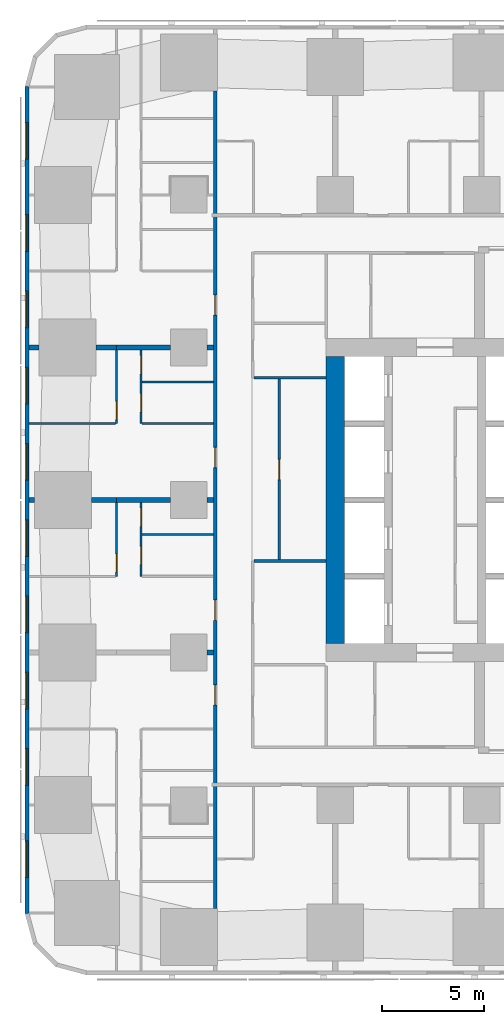
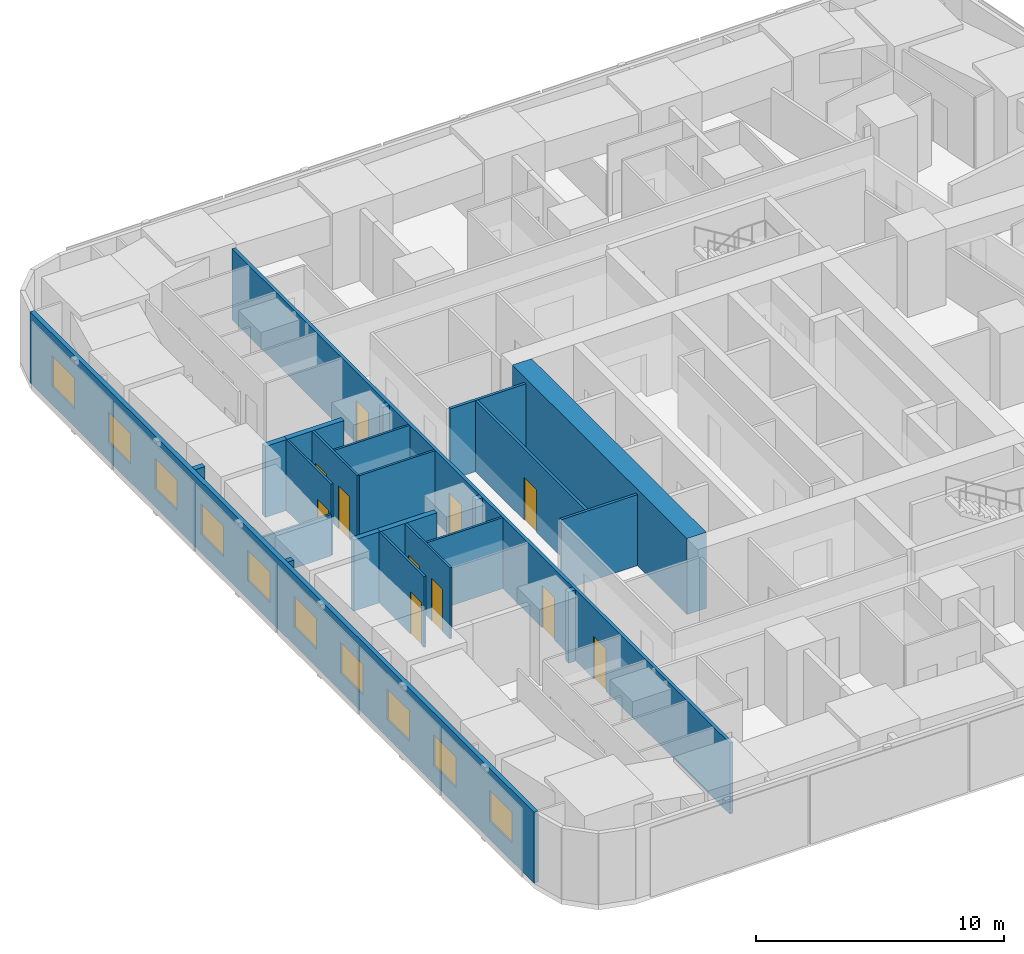
# One storey, part 4 of 15: 23 walls, 11 doors, 10 windows, 21 openings.
"""IFC4 building model written with IfcOpenShell, lengths in metres."""

from ifc_helpers import new_model, si_unit, direction, frame, frame_2d, origin, place, context, subcontext, project, spatial, rectangle, extrude, material, layer, layer_set, type_object, element, fill, save


model = new_model("IFC4")

# Units and contexts
model_context = context("Model", 3, precision=1e-05, world=origin(), true_north=direction((0.0, 1.0)))
body_context = subcontext(model_context, "Body", "Model", "MODEL_VIEW")
ifc_project = project(units=[si_unit("LENGTHUNIT", "METRE"), si_unit("AREAUNIT", "SQUARE_METRE"), si_unit("VOLUMEUNIT", "CUBIC_METRE"), si_unit("PLANEANGLEUNIT", "RADIAN"), si_unit("MASSUNIT", "GRAM", prefix="KILO")], contexts=[model_context])

# Site, building, storey
site_placement = place(None, origin())
site = spatial("IfcSite", under=ifc_project, at=site_placement, CompositionType="ELEMENT")
building_placement = place(site_placement, origin())
building = spatial("IfcBuilding", under=site, at=building_placement, Name="Sheger Commons Tower", CompositionType="ELEMENT")
storey_placement = place(building_placement, frame((0.0, 0.0, 50.0)))
storey = spatial("IfcBuildingStorey", under=building, at=storey_placement, Name="L12", CompositionType="ELEMENT", Elevation=50.0)

# Wall
ifc_material_1 = material(Name="Concrete C50/60", Category="concrete")
ifc_layer_1 = layer(ifc_material_1, 0.89990234375)
ifc_layer_set_1 = layer_set([ifc_layer_1], Name="CORE WALL 900")
wall_type_1 = type_object("IfcWallType", Name="CORE WALL 900", PredefinedType="SHEAR", material=ifc_layer_set_1)
wall_1_placement = place(storey_placement, frame((14.39990234375, 15.449951171875, 0.0), z_axis=(0.0, 0.0, 1.0), x_axis=(0.0, 1.0, 0.0)))
element("IfcWall", 1, at=wall_1_placement, inside=storey, type_object=wall_type_1, Name="Core wall west L12", PredefinedType="SHEAR", context=body_context, shape_type="SweptSolid", body=[
    extrude(rectangle(XDim=14.10009765625, YDim=0.89990234375, at=frame_2d((7.050048828125, 0.0))), origin(), (0.0, 0.0, 1.0), 3.75),
])

# Wall, openings, doors
ifc_material_2 = material(Name="Hollow concrete block masonry, skimmed both sides", Category="masonry")
ifc_layer_2 = layer(ifc_material_2, 0.14990234375)
ifc_layer_set_2 = layer_set([ifc_layer_2], Name="CORRIDOR WALL 150")
wall_type_2 = type_object("IfcWallType", Name="CORRIDOR WALL 150", PredefinedType="SOLIDWALL", material=ifc_layer_set_2)
wall_2_placement = place(storey_placement, frame((8.5, 2.426025390625, 0.0), z_axis=(0.0, 0.0, 1.0), x_axis=(0.0, 1.0, 0.0)))
wall_2 = element("IfcWall", 2, at=wall_2_placement, inside=storey, type_object=wall_type_2, Name="Corridor wall L12", PredefinedType="SOLIDWALL", context=body_context, shape_type="SweptSolid", body=[
    extrude(rectangle(XDim=40.173095703125, YDim=0.14990234375, at=frame_2d((20.08642578125, 0.0))), origin(), (0.0, 0.0, 1.0), 3.5),
])
opening_1_placement = place(wall_2_placement, frame((9.986083984375, 0.0, 0.0)))
opening_1 = element("IfcOpeningElement", 3, at=opening_1_placement, cuts=wall_2, Name="Opening D1", PredefinedType="OPENING", context=body_context, shape_type="SweptSolid", body=[
    extrude(rectangle(XDim=1.0, YDim=2.10009765625, at=frame_2d((0.5, 1.050048828125))), frame((0.0, 0.0849609375, 0.0), z_axis=(0.0, -1.0, 0.0), x_axis=(1.0, 0.0, 0.0)), (0.0, 0.0, 1.0), 0.169921875),
])
opening_2_placement = place(wall_2_placement, frame((14.160888671875, 0.0, 0.0)))
opening_2 = element("IfcOpeningElement", 4, at=opening_2_placement, cuts=wall_2, Name="Opening D1", PredefinedType="OPENING", context=body_context, shape_type="SweptSolid", body=[
    extrude(rectangle(XDim=1.0, YDim=2.10009765625, at=frame_2d((0.5, 1.050048828125))), frame((0.0, 0.0849609375, 0.0), z_axis=(0.0, -1.0, 0.0), x_axis=(1.0, 0.0, 0.0)), (0.0, 0.0, 1.0), 0.169921875),
])
opening_3_placement = place(wall_2_placement, frame((21.662109375, 0.0, 0.0)))
opening_3 = element("IfcOpeningElement", 5, at=opening_3_placement, cuts=wall_2, Name="Opening D1", PredefinedType="OPENING", context=body_context, shape_type="SweptSolid", body=[
    extrude(rectangle(XDim=1.0, YDim=2.10009765625, at=frame_2d((0.5, 1.050048828125))), frame((0.0, 0.0849609375, 0.0), z_axis=(0.0, -1.0, 0.0), x_axis=(1.0, 0.0, 0.0)), (0.0, 0.0, 1.0), 0.169921875),
])
opening_4_placement = place(wall_2_placement, frame((29.160888671875, 0.0, 0.0)))
opening_4 = element("IfcOpeningElement", 6, at=opening_4_placement, cuts=wall_2, Name="Opening D1", PredefinedType="OPENING", context=body_context, shape_type="SweptSolid", body=[
    extrude(rectangle(XDim=1.0, YDim=2.10009765625, at=frame_2d((0.5, 1.050048828125))), frame((0.0, 0.0849609375, 0.0), z_axis=(0.0, -1.0, 0.0), x_axis=(1.0, 0.0, 0.0)), (0.0, 0.0, 1.0), 0.169921875),
])
ifc_material_3 = material(Name="Steel door set, fire rated", Category="steel")
door_type_1 = type_object("IfcDoorType", Name="FLAT ENTRANCE DOOR 1000x2100", OperationType="NOTDEFINED", PredefinedType="DOOR", material=ifc_material_3)
door_1_placement = place(opening_1_placement, origin())
door_1 = element("IfcDoor", 7, at=door_1_placement, inside=storey, type_object=door_type_1, Name="Flat entrance door", OperationType="SINGLE_SWING_LEFT", OverallHeight=2.10009765625, OverallWidth=1.0, PredefinedType="DOOR", context=body_context, shape_type="SweptSolid", body=[
    extrude(rectangle(XDim=1.0, YDim=2.10009765625, at=frame_2d((0.5, 1.050048828125))), frame((0.0, 0.02490234375, 0.0), z_axis=(0.0, -1.0, 0.0), x_axis=(1.0, 0.0, 0.0)), (0.0, 0.0, 1.0), 0.050048828125),
])
fill(opening_1, door_1)
door_2_placement = place(opening_2_placement, origin())
door_2 = element("IfcDoor", 8, at=door_2_placement, inside=storey, type_object=door_type_1, Name="Flat entrance door", OperationType="SINGLE_SWING_RIGHT", OverallHeight=2.10009765625, OverallWidth=1.0, PredefinedType="DOOR", context=body_context, shape_type="SweptSolid", body=[
    extrude(rectangle(XDim=1.0, YDim=2.10009765625, at=frame_2d((0.5, 1.050048828125))), frame((0.0, 0.02490234375, 0.0), z_axis=(0.0, -1.0, 0.0), x_axis=(1.0, 0.0, 0.0)), (0.0, 0.0, 1.0), 0.050048828125),
])
fill(opening_2, door_2)
door_3_placement = place(opening_3_placement, origin())
door_3 = element("IfcDoor", 9, at=door_3_placement, inside=storey, type_object=door_type_1, Name="Flat entrance door", OperationType="SINGLE_SWING_RIGHT", OverallHeight=2.10009765625, OverallWidth=1.0, PredefinedType="DOOR", context=body_context, shape_type="SweptSolid", body=[
    extrude(rectangle(XDim=1.0, YDim=2.10009765625, at=frame_2d((0.5, 1.050048828125))), frame((0.0, 0.02490234375, 0.0), z_axis=(0.0, -1.0, 0.0), x_axis=(1.0, 0.0, 0.0)), (0.0, 0.0, 1.0), 0.050048828125),
])
fill(opening_3, door_3)
door_4_placement = place(opening_4_placement, origin())
door_4 = element("IfcDoor", 10, at=door_4_placement, inside=storey, type_object=door_type_1, Name="Flat entrance door", OperationType="SINGLE_SWING_RIGHT", OverallHeight=2.10009765625, OverallWidth=1.0, PredefinedType="DOOR", context=body_context, shape_type="SweptSolid", body=[
    extrude(rectangle(XDim=1.0, YDim=2.10009765625, at=frame_2d((0.5, 1.050048828125))), frame((0.0, 0.02490234375, 0.0), z_axis=(0.0, -1.0, 0.0), x_axis=(1.0, 0.0, 0.0)), (0.0, 0.0, 1.0), 0.050048828125),
])
fill(opening_4, door_4)

# Walls
ifc_material_4 = material(Name="Dense concrete block masonry, plastered both sides (separating wall between flats)", Category="masonry")
ifc_layer_3 = layer(ifc_material_4, 0.25)
ifc_layer_set_3 = layer_set([ifc_layer_3], Name="DEMISING WALL 250")
wall_type_3 = type_object("IfcWallType", Name="DEMISING WALL 250", PredefinedType="SOLIDWALL", material=ifc_layer_set_3)
wall_3_placement = place(storey_placement, frame((8.10107421875, 15.0, 0.0), z_axis=(0.0, 0.0, 1.0), x_axis=(1.0, 0.0, 0.0)))
element("IfcWall", 11, at=wall_3_placement, inside=storey, type_object=wall_type_3, Name="Demising wall L12", PredefinedType="SOLIDWALL", context=body_context, shape_type="SweptSolid", body=[
    extrude(rectangle(XDim=0.323974609375, YDim=0.25, at=frame_2d((0.162109375, 0.0))), origin(), (0.0, 0.0, 1.0), 3.5),
])
wall_4_placement = place(storey_placement, frame((-0.64990234375, 22.5, 0.0), z_axis=(0.0, 0.0, 1.0), x_axis=(1.0, 0.0, 0.0)))
element("IfcWall", 12, at=wall_4_placement, inside=storey, type_object=wall_type_3, Name="Demising wall L12", PredefinedType="SOLIDWALL", context=body_context, shape_type="SweptSolid", body=[
    extrude(rectangle(XDim=0.27392578125, YDim=0.25, at=frame_2d((0.136962890625, 0.0))), origin(), (0.0, 0.0, 1.0), 3.5),
])
wall_5_placement = place(storey_placement, frame((2.426025390625, 22.5, 0.0), z_axis=(0.0, 0.0, 1.0), x_axis=(1.0, 0.0, 0.0)))
element("IfcWall", 13, at=wall_5_placement, inside=storey, type_object=wall_type_3, Name="Demising wall L12", PredefinedType="SOLIDWALL", context=body_context, shape_type="SweptSolid", body=[
    extrude(rectangle(XDim=1.223876953125, YDim=0.25, at=frame_2d((0.61181640625, 0.0))), origin(), (0.0, 0.0, 1.0), 3.5),
])
wall_6_placement = place(storey_placement, frame((3.64990234375, 22.5, 0.0), z_axis=(0.0, 0.0, 1.0), x_axis=(1.0, 0.0, 0.0)))
element("IfcWall", 14, at=wall_6_placement, inside=storey, type_object=wall_type_3, Name="Demising wall L12", PredefinedType="SOLIDWALL", context=body_context, shape_type="SweptSolid", body=[
    extrude(rectangle(XDim=2.649169921875, YDim=0.25, at=frame_2d((1.32470703125, 0.0))), origin(), (0.0, 0.0, 1.0), 3.5),
])
wall_7_placement = place(storey_placement, frame((8.10107421875, 22.5, 0.0), z_axis=(0.0, 0.0, 1.0), x_axis=(1.0, 0.0, 0.0)))
element("IfcWall", 15, at=wall_7_placement, inside=storey, type_object=wall_type_3, Name="Demising wall L12", PredefinedType="SOLIDWALL", context=body_context, shape_type="SweptSolid", body=[
    extrude(rectangle(XDim=0.323974609375, YDim=0.25, at=frame_2d((0.162109375, 0.0))), origin(), (0.0, 0.0, 1.0), 3.5),
])
wall_8_placement = place(storey_placement, frame((-0.64990234375, 30.0, 0.0), z_axis=(0.0, 0.0, 1.0), x_axis=(1.0, 0.0, 0.0)))
element("IfcWall", 16, at=wall_8_placement, inside=storey, type_object=wall_type_3, Name="Demising wall L12", PredefinedType="SOLIDWALL", context=body_context, shape_type="SweptSolid", body=[
    extrude(rectangle(XDim=0.473876953125, YDim=0.25, at=frame_2d((0.23681640625, 0.0))), origin(), (0.0, 0.0, 1.0), 3.5),
])
wall_9_placement = place(storey_placement, frame((2.6259765625, 30.0, 0.0), z_axis=(0.0, 0.0, 1.0), x_axis=(1.0, 0.0, 0.0)))
element("IfcWall", 17, at=wall_9_placement, inside=storey, type_object=wall_type_3, Name="Demising wall L12", PredefinedType="SOLIDWALL", context=body_context, shape_type="SweptSolid", body=[
    extrude(rectangle(XDim=1.02392578125, YDim=0.25, at=frame_2d((0.511962890625, 0.0))), origin(), (0.0, 0.0, 1.0), 3.5),
])
wall_10_placement = place(storey_placement, frame((3.64990234375, 30.0, 0.0), z_axis=(0.0, 0.0, 1.0), x_axis=(1.0, 0.0, 0.0)))
element("IfcWall", 18, at=wall_10_placement, inside=storey, type_object=wall_type_3, Name="Demising wall L12", PredefinedType="SOLIDWALL", context=body_context, shape_type="SweptSolid", body=[
    extrude(rectangle(XDim=2.649169921875, YDim=0.25, at=frame_2d((1.32470703125, 0.0))), origin(), (0.0, 0.0, 1.0), 3.5),
])
wall_11_placement = place(storey_placement, frame((8.10107421875, 30.0, 0.0), z_axis=(0.0, 0.0, 1.0), x_axis=(1.0, 0.0, 0.0)))
element("IfcWall", 19, at=wall_11_placement, inside=storey, type_object=wall_type_3, Name="Demising wall L12", PredefinedType="SOLIDWALL", context=body_context, shape_type="SweptSolid", body=[
    extrude(rectangle(XDim=0.323974609375, YDim=0.25, at=frame_2d((0.162109375, 0.0))), origin(), (0.0, 0.0, 1.0), 3.5),
])

# Wall, openings, windows
ifc_material_5 = material(Name="Rendered concrete block masonry, dark grey", Category="masonry")
ifc_layer_4 = layer(ifc_material_5, 0.199951171875)
ifc_layer_set_4 = layer_set([ifc_layer_4], Name="FACADE WALL 200")
wall_type_4 = type_object("IfcWallType", Name="FACADE WALL 200", PredefinedType="SOLIDWALL", material=ifc_layer_set_4)
wall_12_placement = place(storey_placement, frame((-0.75, 42.8369140625, 0.0), z_axis=(0.0, 0.0, 1.0), x_axis=(0.0, -1.0, 0.0)))
wall_12 = element("IfcWall", 20, at=wall_12_placement, inside=storey, type_object=wall_type_4, Name="Facade wall L12", PredefinedType="SOLIDWALL", context=body_context, shape_type="SweptSolid", body=[
    extrude(rectangle(XDim=40.673828125, YDim=0.199951171875, at=frame_2d((20.3369140625, 0.0))), origin(), (0.0, 0.0, 1.0), 3.5),
])
opening_5_placement = place(wall_12_placement, frame((1.780029296875, 0.0, 0.89990234375)))
opening_5 = element("IfcOpeningElement", 21, at=opening_5_placement, cuts=wall_12, Name="Opening W2", PredefinedType="OPENING", context=body_context, shape_type="SweptSolid", body=[
    extrude(rectangle(XDim=1.800048828125, YDim=1.5, at=frame_2d((0.89990234375, 0.75))), frame((0.0, 0.10986328125, 0.0), z_axis=(0.0, -1.0, 0.0), x_axis=(1.0, 0.0, 0.0)), (0.0, 0.0, 1.0), 0.219970703125),
])
opening_6_placement = place(wall_12_placement, frame((6.31201171875, 0.0, 0.89990234375)))
opening_6 = element("IfcOpeningElement", 22, at=opening_6_placement, cuts=wall_12, Name="Opening W2", PredefinedType="OPENING", context=body_context, shape_type="SweptSolid", body=[
    extrude(rectangle(XDim=1.800048828125, YDim=1.5, at=frame_2d((0.89990234375, 0.75))), frame((0.0, 0.10986328125, 0.0), z_axis=(0.0, -1.0, 0.0), x_axis=(1.0, 0.0, 0.0)), (0.0, 0.0, 1.0), 0.219970703125),
])
opening_7_placement = place(wall_12_placement, frame((10.06201171875, 0.0, 0.89990234375)))
opening_7 = element("IfcOpeningElement", 23, at=opening_7_placement, cuts=wall_12, Name="Opening W2", PredefinedType="OPENING", context=body_context, shape_type="SweptSolid", body=[
    extrude(rectangle(XDim=1.800048828125, YDim=1.5, at=frame_2d((0.89990234375, 0.75))), frame((0.0, 0.10986328125, 0.0), z_axis=(0.0, -1.0, 0.0), x_axis=(1.0, 0.0, 0.0)), (0.0, 0.0, 1.0), 0.219970703125),
])
opening_8_placement = place(wall_12_placement, frame((13.81201171875, 0.0, 0.89990234375)))
opening_8 = element("IfcOpeningElement", 24, at=opening_8_placement, cuts=wall_12, Name="Opening W2", PredefinedType="OPENING", context=body_context, shape_type="SweptSolid", body=[
    extrude(rectangle(XDim=1.800048828125, YDim=1.5, at=frame_2d((0.89990234375, 0.75))), frame((0.0, 0.10986328125, 0.0), z_axis=(0.0, -1.0, 0.0), x_axis=(1.0, 0.0, 0.0)), (0.0, 0.0, 1.0), 0.219970703125),
])
opening_9_placement = place(wall_12_placement, frame((17.56201171875, 0.0, 0.89990234375)))
opening_9 = element("IfcOpeningElement", 25, at=opening_9_placement, cuts=wall_12, Name="Opening W2", PredefinedType="OPENING", context=body_context, shape_type="SweptSolid", body=[
    extrude(rectangle(XDim=1.800048828125, YDim=1.5, at=frame_2d((0.89990234375, 0.75))), frame((0.0, 0.10986328125, 0.0), z_axis=(0.0, -1.0, 0.0), x_axis=(1.0, 0.0, 0.0)), (0.0, 0.0, 1.0), 0.219970703125),
])
opening_10_placement = place(wall_12_placement, frame((21.31201171875, 0.0, 0.89990234375)))
opening_10 = element("IfcOpeningElement", 26, at=opening_10_placement, cuts=wall_12, Name="Opening W2", PredefinedType="OPENING", context=body_context, shape_type="SweptSolid", body=[
    extrude(rectangle(XDim=1.800048828125, YDim=1.5, at=frame_2d((0.89990234375, 0.75))), frame((0.0, 0.10986328125, 0.0), z_axis=(0.0, -1.0, 0.0), x_axis=(1.0, 0.0, 0.0)), (0.0, 0.0, 1.0), 0.219970703125),
])
opening_11_placement = place(wall_12_placement, frame((25.06201171875, 0.0, 0.89990234375)))
opening_11 = element("IfcOpeningElement", 27, at=opening_11_placement, cuts=wall_12, Name="Opening W2", PredefinedType="OPENING", context=body_context, shape_type="SweptSolid", body=[
    extrude(rectangle(XDim=1.800048828125, YDim=1.5, at=frame_2d((0.89990234375, 0.75))), frame((0.0, 0.10986328125, 0.0), z_axis=(0.0, -1.0, 0.0), x_axis=(1.0, 0.0, 0.0)), (0.0, 0.0, 1.0), 0.219970703125),
])
opening_12_placement = place(wall_12_placement, frame((28.81201171875, 0.0, 0.89990234375)))
opening_12 = element("IfcOpeningElement", 28, at=opening_12_placement, cuts=wall_12, Name="Opening W2", PredefinedType="OPENING", context=body_context, shape_type="SweptSolid", body=[
    extrude(rectangle(XDim=1.800048828125, YDim=1.5, at=frame_2d((0.89990234375, 0.75))), frame((0.0, 0.10986328125, 0.0), z_axis=(0.0, -1.0, 0.0), x_axis=(1.0, 0.0, 0.0)), (0.0, 0.0, 1.0), 0.219970703125),
])
opening_13_placement = place(wall_12_placement, frame((32.56201171875, 0.0, 0.89990234375)))
opening_13 = element("IfcOpeningElement", 29, at=opening_13_placement, cuts=wall_12, Name="Opening W2", PredefinedType="OPENING", context=body_context, shape_type="SweptSolid", body=[
    extrude(rectangle(XDim=1.800048828125, YDim=1.5, at=frame_2d((0.89990234375, 0.75))), frame((0.0, 0.10986328125, 0.0), z_axis=(0.0, -1.0, 0.0), x_axis=(1.0, 0.0, 0.0)), (0.0, 0.0, 1.0), 0.219970703125),
])
opening_14_placement = place(wall_12_placement, frame((37.093994140625, 0.0, 0.89990234375)))
opening_14 = element("IfcOpeningElement", 30, at=opening_14_placement, cuts=wall_12, Name="Opening W2", PredefinedType="OPENING", context=body_context, shape_type="SweptSolid", body=[
    extrude(rectangle(XDim=1.800048828125, YDim=1.5, at=frame_2d((0.89990234375, 0.75))), frame((0.0, 0.10986328125, 0.0), z_axis=(0.0, -1.0, 0.0), x_axis=(1.0, 0.0, 0.0)), (0.0, 0.0, 1.0), 0.219970703125),
])
ifc_material_6 = material(Name="Black aluminium frame, dark tinted double glazing", Category="aluminium")
window_type = type_object("IfcWindowType", Name="WINDOW W2 1800x1500", PartitioningType="SINGLE_PANEL", PredefinedType="WINDOW", material=ifc_material_6)
window_1_placement = place(opening_5_placement, origin())
window_1 = element("IfcWindow", 31, at=window_1_placement, inside=storey, type_object=window_type, Name="Window W2 1800X1500", OverallHeight=1.5, OverallWidth=1.800048828125, PartitioningType="SINGLE_PANEL", PredefinedType="WINDOW", context=body_context, shape_type="SweptSolid", body=[
    extrude(rectangle(XDim=1.800048828125, YDim=1.5, at=frame_2d((0.89990234375, 0.75))), frame((0.0, 0.030029296875, 0.0), z_axis=(0.0, -1.0, 0.0), x_axis=(1.0, 0.0, 0.0)), (0.0, 0.0, 1.0), 0.06005859375),
])
fill(opening_5, window_1)
window_2_placement = place(opening_6_placement, origin())
window_2 = element("IfcWindow", 32, at=window_2_placement, inside=storey, type_object=window_type, Name="Window W2 1800X1500", OverallHeight=1.5, OverallWidth=1.800048828125, PartitioningType="SINGLE_PANEL", PredefinedType="WINDOW", context=body_context, shape_type="SweptSolid", body=[
    extrude(rectangle(XDim=1.800048828125, YDim=1.5, at=frame_2d((0.89990234375, 0.75))), frame((0.0, 0.030029296875, 0.0), z_axis=(0.0, -1.0, 0.0), x_axis=(1.0, 0.0, 0.0)), (0.0, 0.0, 1.0), 0.06005859375),
])
fill(opening_6, window_2)
window_3_placement = place(opening_7_placement, origin())
window_3 = element("IfcWindow", 33, at=window_3_placement, inside=storey, type_object=window_type, Name="Window W2 1800X1500", OverallHeight=1.5, OverallWidth=1.800048828125, PartitioningType="SINGLE_PANEL", PredefinedType="WINDOW", context=body_context, shape_type="SweptSolid", body=[
    extrude(rectangle(XDim=1.800048828125, YDim=1.5, at=frame_2d((0.89990234375, 0.75))), frame((0.0, 0.030029296875, 0.0), z_axis=(0.0, -1.0, 0.0), x_axis=(1.0, 0.0, 0.0)), (0.0, 0.0, 1.0), 0.06005859375),
])
fill(opening_7, window_3)
window_4_placement = place(opening_8_placement, origin())
window_4 = element("IfcWindow", 34, at=window_4_placement, inside=storey, type_object=window_type, Name="Window W2 1800X1500", OverallHeight=1.5, OverallWidth=1.800048828125, PartitioningType="SINGLE_PANEL", PredefinedType="WINDOW", context=body_context, shape_type="SweptSolid", body=[
    extrude(rectangle(XDim=1.800048828125, YDim=1.5, at=frame_2d((0.89990234375, 0.75))), frame((0.0, 0.030029296875, 0.0), z_axis=(0.0, -1.0, 0.0), x_axis=(1.0, 0.0, 0.0)), (0.0, 0.0, 1.0), 0.06005859375),
])
fill(opening_8, window_4)
window_5_placement = place(opening_9_placement, origin())
window_5 = element("IfcWindow", 35, at=window_5_placement, inside=storey, type_object=window_type, Name="Window W2 1800X1500", OverallHeight=1.5, OverallWidth=1.800048828125, PartitioningType="SINGLE_PANEL", PredefinedType="WINDOW", context=body_context, shape_type="SweptSolid", body=[
    extrude(rectangle(XDim=1.800048828125, YDim=1.5, at=frame_2d((0.89990234375, 0.75))), frame((0.0, 0.030029296875, 0.0), z_axis=(0.0, -1.0, 0.0), x_axis=(1.0, 0.0, 0.0)), (0.0, 0.0, 1.0), 0.06005859375),
])
fill(opening_9, window_5)
window_6_placement = place(opening_10_placement, origin())
window_6 = element("IfcWindow", 36, at=window_6_placement, inside=storey, type_object=window_type, Name="Window W2 1800X1500", OverallHeight=1.5, OverallWidth=1.800048828125, PartitioningType="SINGLE_PANEL", PredefinedType="WINDOW", context=body_context, shape_type="SweptSolid", body=[
    extrude(rectangle(XDim=1.800048828125, YDim=1.5, at=frame_2d((0.89990234375, 0.75))), frame((0.0, 0.030029296875, 0.0), z_axis=(0.0, -1.0, 0.0), x_axis=(1.0, 0.0, 0.0)), (0.0, 0.0, 1.0), 0.06005859375),
])
fill(opening_10, window_6)
window_7_placement = place(opening_11_placement, origin())
window_7 = element("IfcWindow", 37, at=window_7_placement, inside=storey, type_object=window_type, Name="Window W2 1800X1500", OverallHeight=1.5, OverallWidth=1.800048828125, PartitioningType="SINGLE_PANEL", PredefinedType="WINDOW", context=body_context, shape_type="SweptSolid", body=[
    extrude(rectangle(XDim=1.800048828125, YDim=1.5, at=frame_2d((0.89990234375, 0.75))), frame((0.0, 0.030029296875, 0.0), z_axis=(0.0, -1.0, 0.0), x_axis=(1.0, 0.0, 0.0)), (0.0, 0.0, 1.0), 0.06005859375),
])
fill(opening_11, window_7)
window_8_placement = place(opening_12_placement, origin())
window_8 = element("IfcWindow", 38, at=window_8_placement, inside=storey, type_object=window_type, Name="Window W2 1800X1500", OverallHeight=1.5, OverallWidth=1.800048828125, PartitioningType="SINGLE_PANEL", PredefinedType="WINDOW", context=body_context, shape_type="SweptSolid", body=[
    extrude(rectangle(XDim=1.800048828125, YDim=1.5, at=frame_2d((0.89990234375, 0.75))), frame((0.0, 0.030029296875, 0.0), z_axis=(0.0, -1.0, 0.0), x_axis=(1.0, 0.0, 0.0)), (0.0, 0.0, 1.0), 0.06005859375),
])
fill(opening_12, window_8)
window_9_placement = place(opening_13_placement, origin())
window_9 = element("IfcWindow", 39, at=window_9_placement, inside=storey, type_object=window_type, Name="Window W2 1800X1500", OverallHeight=1.5, OverallWidth=1.800048828125, PartitioningType="SINGLE_PANEL", PredefinedType="WINDOW", context=body_context, shape_type="SweptSolid", body=[
    extrude(rectangle(XDim=1.800048828125, YDim=1.5, at=frame_2d((0.89990234375, 0.75))), frame((0.0, 0.030029296875, 0.0), z_axis=(0.0, -1.0, 0.0), x_axis=(1.0, 0.0, 0.0)), (0.0, 0.0, 1.0), 0.06005859375),
])
fill(opening_13, window_9)
window_10_placement = place(opening_14_placement, origin())
window_10 = element("IfcWindow", 40, at=window_10_placement, inside=storey, type_object=window_type, Name="Window W2 1800X1500", OverallHeight=1.5, OverallWidth=1.800048828125, PartitioningType="SINGLE_PANEL", PredefinedType="WINDOW", context=body_context, shape_type="SweptSolid", body=[
    extrude(rectangle(XDim=1.800048828125, YDim=1.5, at=frame_2d((0.89990234375, 0.75))), frame((0.0, 0.030029296875, 0.0), z_axis=(0.0, -1.0, 0.0), x_axis=(1.0, 0.0, 0.0)), (0.0, 0.0, 1.0), 0.06005859375),
])
fill(opening_14, window_10)

# Wall, opening, door
ifc_material_7 = material(Name="Gypsum board on steel studs", Category="steel")
ifc_layer_5 = layer(ifc_material_7, 0.10009765625)
ifc_layer_set_5 = layer_set([ifc_layer_5], Name="PARTITION 100")
wall_type_5 = type_object("IfcWallType", Name="PARTITION 100", PredefinedType="PARTITIONING", material=ifc_layer_set_5)
wall_13_placement = place(storey_placement, frame((3.64990234375, 18.75, 0.0), z_axis=(0.0, 0.0, 1.0), x_axis=(0.0, 1.0, 0.0)))
wall_13 = element("IfcWall", 41, at=wall_13_placement, inside=storey, type_object=wall_type_5, Name="Partition L12", PredefinedType="PARTITIONING", context=body_context, shape_type="SweptSolid", body=[
    extrude(rectangle(XDim=3.625, YDim=0.10009765625, at=frame_2d((1.8125, 0.0))), origin(), (0.0, 0.0, 1.0), 3.5),
])
opening_15_placement = place(wall_13_placement, frame((0.199951171875, 0.0, 0.0)))
opening_15 = element("IfcOpeningElement", 42, at=opening_15_placement, cuts=wall_13, Name="Opening D2", PredefinedType="OPENING", context=body_context, shape_type="SweptSolid", body=[
    extrude(rectangle(XDim=0.89990234375, YDim=2.10009765625, at=frame_2d((0.449951171875, 1.050048828125))), frame((0.0, 0.06005859375, 0.0), z_axis=(0.0, -1.0, 0.0), x_axis=(1.0, 0.0, 0.0)), (0.0, 0.0, 1.0), 0.1201171875),
])
ifc_material_8 = material(Name="Timber door set", Category="wood")
door_type_2 = type_object("IfcDoorType", Name="INTERNAL DOOR 900x2100", OperationType="NOTDEFINED", PredefinedType="DOOR", material=ifc_material_8)
door_5_placement = place(opening_15_placement, origin())
door_5 = element("IfcDoor", 43, at=door_5_placement, inside=storey, type_object=door_type_2, Name="Main bedroom door", OperationType="SINGLE_SWING_LEFT", OverallHeight=2.10009765625, OverallWidth=0.89990234375, PredefinedType="DOOR", context=body_context, shape_type="SweptSolid", body=[
    extrude(rectangle(XDim=0.89990234375, YDim=2.10009765625, at=frame_2d((0.449951171875, 1.050048828125))), frame((0.0, 0.02490234375, 0.0), z_axis=(0.0, -1.0, 0.0), x_axis=(1.0, 0.0, 0.0)), (0.0, 0.0, 1.0), 0.050048828125),
])
fill(opening_15, door_5)

# Wall, openings, doors
wall_14_placement = place(storey_placement, frame((4.85009765625, 18.75, 0.0), z_axis=(0.0, 0.0, 1.0), x_axis=(0.0, 1.0, 0.0)))
wall_14 = element("IfcWall", 44, at=wall_14_placement, inside=storey, type_object=wall_type_5, Name="Partition L12", PredefinedType="PARTITIONING", context=body_context, shape_type="SweptSolid", body=[
    extrude(rectangle(XDim=3.625, YDim=0.10009765625, at=frame_2d((1.8125, 0.0))), origin(), (0.0, 0.0, 1.0), 3.5),
])
opening_16_placement = place(wall_14_placement, frame((0.574951171875, 0.0, 0.0)))
opening_16 = element("IfcOpeningElement", 45, at=opening_16_placement, cuts=wall_14, Name="Opening D2", PredefinedType="OPENING", context=body_context, shape_type="SweptSolid", body=[
    extrude(rectangle(XDim=0.89990234375, YDim=2.10009765625, at=frame_2d((0.449951171875, 1.050048828125))), frame((0.0, 0.06005859375, 0.0), z_axis=(0.0, -1.0, 0.0), x_axis=(1.0, 0.0, 0.0)), (0.0, 0.0, 1.0), 0.1201171875),
])
opening_17_placement = place(wall_14_placement, frame((2.449951171875, 0.0, 0.0)))
opening_17 = element("IfcOpeningElement", 46, at=opening_17_placement, cuts=wall_14, Name="Opening D2", PredefinedType="OPENING", context=body_context, shape_type="SweptSolid", body=[
    extrude(rectangle(XDim=0.89990234375, YDim=2.10009765625, at=frame_2d((0.449951171875, 1.050048828125))), frame((0.0, 0.06005859375, 0.0), z_axis=(0.0, -1.0, 0.0), x_axis=(1.0, 0.0, 0.0)), (0.0, 0.0, 1.0), 0.1201171875),
])
door_6_placement = place(opening_16_placement, origin())
door_6 = element("IfcDoor", 47, at=door_6_placement, inside=storey, type_object=door_type_2, Name="Bathroom door", OperationType="SINGLE_SWING_RIGHT", OverallHeight=2.10009765625, OverallWidth=0.89990234375, PredefinedType="DOOR", context=body_context, shape_type="SweptSolid", body=[
    extrude(rectangle(XDim=0.89990234375, YDim=2.10009765625, at=frame_2d((0.449951171875, 1.050048828125))), frame((0.0, 0.02490234375, 0.0), z_axis=(0.0, -1.0, 0.0), x_axis=(1.0, 0.0, 0.0)), (0.0, 0.0, 1.0), 0.050048828125),
])
fill(opening_16, door_6)
door_7_placement = place(opening_17_placement, origin())
door_7 = element("IfcDoor", 48, at=door_7_placement, inside=storey, type_object=door_type_2, Name="Store door", OperationType="SINGLE_SWING_LEFT", OverallHeight=2.10009765625, OverallWidth=0.89990234375, PredefinedType="DOOR", context=body_context, shape_type="SweptSolid", body=[
    extrude(rectangle(XDim=0.89990234375, YDim=2.10009765625, at=frame_2d((0.449951171875, 1.050048828125))), frame((0.0, 0.02490234375, 0.0), z_axis=(0.0, -1.0, 0.0), x_axis=(1.0, 0.0, 0.0)), (0.0, 0.0, 1.0), 0.050048828125),
])
fill(opening_17, door_7)

# Wall
wall_15_placement = place(storey_placement, frame((4.89990234375, 20.800048828125, 0.0), z_axis=(0.0, 0.0, 1.0), x_axis=(1.0, 0.0, 0.0)))
element("IfcWall", 49, at=wall_15_placement, inside=storey, type_object=wall_type_5, Name="Partition L12", PredefinedType="PARTITIONING", context=body_context, shape_type="SweptSolid", body=[
    extrude(rectangle(XDim=3.525146484375, YDim=0.10009765625, at=frame_2d((1.7626953125, 0.0))), origin(), (0.0, 0.0, 1.0), 3.5),
])

# Wall, opening, door
wall_16_placement = place(storey_placement, frame((3.64990234375, 26.25, 0.0), z_axis=(0.0, 0.0, 1.0), x_axis=(0.0, 1.0, 0.0)))
wall_16 = element("IfcWall", 50, at=wall_16_placement, inside=storey, type_object=wall_type_5, Name="Partition L12", PredefinedType="PARTITIONING", context=body_context, shape_type="SweptSolid", body=[
    extrude(rectangle(XDim=3.625, YDim=0.10009765625, at=frame_2d((1.8125, 0.0))), origin(), (0.0, 0.0, 1.0), 3.5),
])
opening_18_placement = place(wall_16_placement, frame((0.199951171875, 0.0, 0.0)))
opening_18 = element("IfcOpeningElement", 51, at=opening_18_placement, cuts=wall_16, Name="Opening D2", PredefinedType="OPENING", context=body_context, shape_type="SweptSolid", body=[
    extrude(rectangle(XDim=0.89990234375, YDim=2.10009765625, at=frame_2d((0.449951171875, 1.050048828125))), frame((0.0, 0.06005859375, 0.0), z_axis=(0.0, -1.0, 0.0), x_axis=(1.0, 0.0, 0.0)), (0.0, 0.0, 1.0), 0.1201171875),
])
door_8_placement = place(opening_18_placement, origin())
door_8 = element("IfcDoor", 52, at=door_8_placement, inside=storey, type_object=door_type_2, Name="Main bedroom door", OperationType="SINGLE_SWING_LEFT", OverallHeight=2.10009765625, OverallWidth=0.89990234375, PredefinedType="DOOR", context=body_context, shape_type="SweptSolid", body=[
    extrude(rectangle(XDim=0.89990234375, YDim=2.10009765625, at=frame_2d((0.449951171875, 1.050048828125))), frame((0.0, 0.02490234375, 0.0), z_axis=(0.0, -1.0, 0.0), x_axis=(1.0, 0.0, 0.0)), (0.0, 0.0, 1.0), 0.050048828125),
])
fill(opening_18, door_8)

# Wall, openings, doors
wall_17_placement = place(storey_placement, frame((4.85009765625, 26.25, 0.0), z_axis=(0.0, 0.0, 1.0), x_axis=(0.0, 1.0, 0.0)))
wall_17 = element("IfcWall", 53, at=wall_17_placement, inside=storey, type_object=wall_type_5, Name="Partition L12", PredefinedType="PARTITIONING", context=body_context, shape_type="SweptSolid", body=[
    extrude(rectangle(XDim=3.625, YDim=0.10009765625, at=frame_2d((1.8125, 0.0))), origin(), (0.0, 0.0, 1.0), 3.5),
])
opening_19_placement = place(wall_17_placement, frame((0.574951171875, 0.0, 0.0)))
opening_19 = element("IfcOpeningElement", 54, at=opening_19_placement, cuts=wall_17, Name="Opening D2", PredefinedType="OPENING", context=body_context, shape_type="SweptSolid", body=[
    extrude(rectangle(XDim=0.89990234375, YDim=2.10009765625, at=frame_2d((0.449951171875, 1.050048828125))), frame((0.0, 0.06005859375, 0.0), z_axis=(0.0, -1.0, 0.0), x_axis=(1.0, 0.0, 0.0)), (0.0, 0.0, 1.0), 0.1201171875),
])
opening_20_placement = place(wall_17_placement, frame((2.449951171875, 0.0, 0.0)))
opening_20 = element("IfcOpeningElement", 55, at=opening_20_placement, cuts=wall_17, Name="Opening D2", PredefinedType="OPENING", context=body_context, shape_type="SweptSolid", body=[
    extrude(rectangle(XDim=0.89990234375, YDim=2.10009765625, at=frame_2d((0.449951171875, 1.050048828125))), frame((0.0, 0.06005859375, 0.0), z_axis=(0.0, -1.0, 0.0), x_axis=(1.0, 0.0, 0.0)), (0.0, 0.0, 1.0), 0.1201171875),
])
door_9_placement = place(opening_19_placement, origin())
door_9 = element("IfcDoor", 56, at=door_9_placement, inside=storey, type_object=door_type_2, Name="Bathroom door", OperationType="SINGLE_SWING_RIGHT", OverallHeight=2.10009765625, OverallWidth=0.89990234375, PredefinedType="DOOR", context=body_context, shape_type="SweptSolid", body=[
    extrude(rectangle(XDim=0.89990234375, YDim=2.10009765625, at=frame_2d((0.449951171875, 1.050048828125))), frame((0.0, 0.02490234375, 0.0), z_axis=(0.0, -1.0, 0.0), x_axis=(1.0, 0.0, 0.0)), (0.0, 0.0, 1.0), 0.050048828125),
])
fill(opening_19, door_9)
door_10_placement = place(opening_20_placement, origin())
door_10 = element("IfcDoor", 57, at=door_10_placement, inside=storey, type_object=door_type_2, Name="Store door", OperationType="SINGLE_SWING_LEFT", OverallHeight=2.10009765625, OverallWidth=0.89990234375, PredefinedType="DOOR", context=body_context, shape_type="SweptSolid", body=[
    extrude(rectangle(XDim=0.89990234375, YDim=2.10009765625, at=frame_2d((0.449951171875, 1.050048828125))), frame((0.0, 0.02490234375, 0.0), z_axis=(0.0, -1.0, 0.0), x_axis=(1.0, 0.0, 0.0)), (0.0, 0.0, 1.0), 0.050048828125),
])
fill(opening_20, door_10)

# Walls
wall_18_placement = place(storey_placement, frame((-0.64990234375, 26.25, 0.0), z_axis=(0.0, 0.0, 1.0), x_axis=(1.0, 0.0, 0.0)))
element("IfcWall", 58, at=wall_18_placement, inside=storey, type_object=wall_type_5, Name="Partition L12", PredefinedType="PARTITIONING", context=body_context, shape_type="SweptSolid", body=[
    extrude(rectangle(XDim=4.25, YDim=0.10009765625, at=frame_2d((2.125, 0.0))), origin(), (0.0, 0.0, 1.0), 2.050048828125),
])
for number, where, z_axis, x_axis, name in (
    (59, (4.89990234375, 26.25, 0.0), (0.0, 0.0, 1.0), (1.0, 0.0, 0.0), "Partition L12"),
    (60, (4.89990234375, 28.300048828125, 0.0), (0.0, 0.0, 1.0), (1.0, 0.0, 0.0), "Partition L12"),
):
    element("IfcWall", number, at=place(storey_placement, frame(where, z_axis=z_axis, x_axis=x_axis)), inside=storey, type_object=wall_type_5, Name=name, PredefinedType="PARTITIONING", context=body_context, shape_type="SweptSolid", body=[
        extrude(rectangle(XDim=3.525146484375, YDim=0.10009765625, at=frame_2d((1.7626953125, 0.0))), origin(), (0.0, 0.0, 1.0), 3.5),
    ])

# Wall, opening, door
ifc_material_9 = material(Name="Gypsum board on steel studs, two layers each side, fire rated", Category="steel")
ifc_layer_6 = layer(ifc_material_9, 0.125)
ifc_layer_set_6 = layer_set([ifc_layer_6], Name="SERVICE WALL 125")
wall_type_6 = type_object("IfcWallType", Name="SERVICE WALL 125", PredefinedType="PARTITIONING", material=ifc_layer_set_6)
wall_19_placement = place(storey_placement, frame((11.64990234375, 19.56201171875, 0.0), z_axis=(0.0, 0.0, 1.0), x_axis=(0.0, 1.0, 0.0)))
wall_19 = element("IfcWall", 61, at=wall_19_placement, inside=storey, type_object=wall_type_6, Name="Service room wall L12", PredefinedType="PARTITIONING", context=body_context, shape_type="SweptSolid", body=[
    extrude(rectangle(XDim=8.8759765625, YDim=0.125, at=frame_2d((4.43798828125, 0.0))), origin(), (0.0, 0.0, 1.0), 3.5),
])
opening_21_placement = place(wall_19_placement, frame((3.93798828125, 0.0, 0.0)))
opening_21 = element("IfcOpeningElement", 62, at=opening_21_placement, cuts=wall_19, Name="Opening D4", PredefinedType="OPENING", context=body_context, shape_type="SweptSolid", body=[
    extrude(rectangle(XDim=1.0, YDim=2.10009765625, at=frame_2d((0.5, 1.050048828125))), frame((0.0, 0.072509765625, 0.0), z_axis=(0.0, -1.0, 0.0), x_axis=(1.0, 0.0, 0.0)), (0.0, 0.0, 1.0), 0.14501953125),
])
ifc_material_10 = material(Name="Steel door set, fire rated", Category="steel")
door_type_3 = type_object("IfcDoorType", Name="SERVICE DOOR 1000x2100", OperationType="NOTDEFINED", PredefinedType="DOOR", material=ifc_material_10)
door_11_placement = place(opening_21_placement, origin())
door_11 = element("IfcDoor", 63, at=door_11_placement, inside=storey, type_object=door_type_3, Name="Residents' hobby room door", OperationType="SINGLE_SWING_RIGHT", OverallHeight=2.10009765625, OverallWidth=1.0, PredefinedType="DOOR", context=body_context, shape_type="SweptSolid", body=[
    extrude(rectangle(XDim=1.0, YDim=2.10009765625, at=frame_2d((0.5, 1.050048828125))), frame((0.0, 0.02490234375, 0.0), z_axis=(0.0, -1.0, 0.0), x_axis=(1.0, 0.0, 0.0)), (0.0, 0.0, 1.0), 0.050048828125),
])
fill(opening_21, door_11)

# Walls
for number, where, z_axis, x_axis, name in (
    (64, (10.4130859375, 19.5, 0.0), (0.0, 0.0, 1.0), (1.0, 0.0, 0.0), "Service room wall L12"),
    (65, (10.4130859375, 28.5, 0.0), (0.0, 0.0, 1.0), (1.0, 0.0, 0.0), "Service room wall L12"),
):
    element("IfcWall", number, at=place(storey_placement, frame(where, z_axis=z_axis, x_axis=x_axis)), inside=storey, type_object=wall_type_6, Name=name, PredefinedType="PARTITIONING", context=body_context, shape_type="SweptSolid", body=[
        extrude(rectangle(XDim=3.536865234375, YDim=0.125, at=frame_2d((1.7685546875, 0.0))), origin(), (0.0, 0.0, 1.0), 3.5),
    ])

save(model, "model.ifc")
